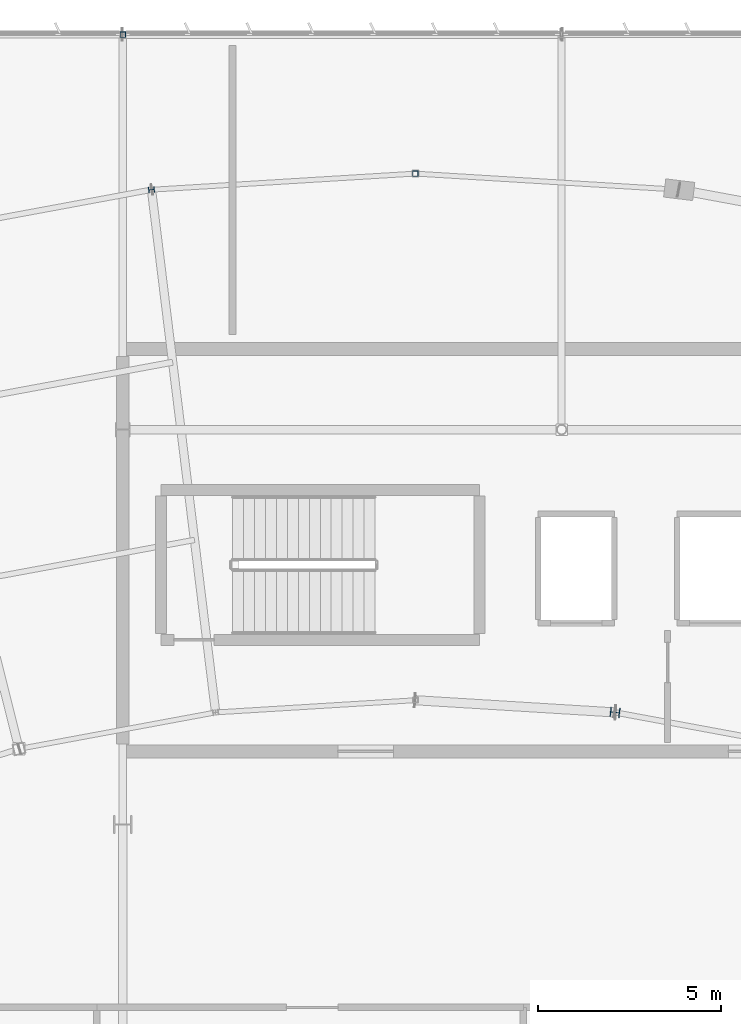
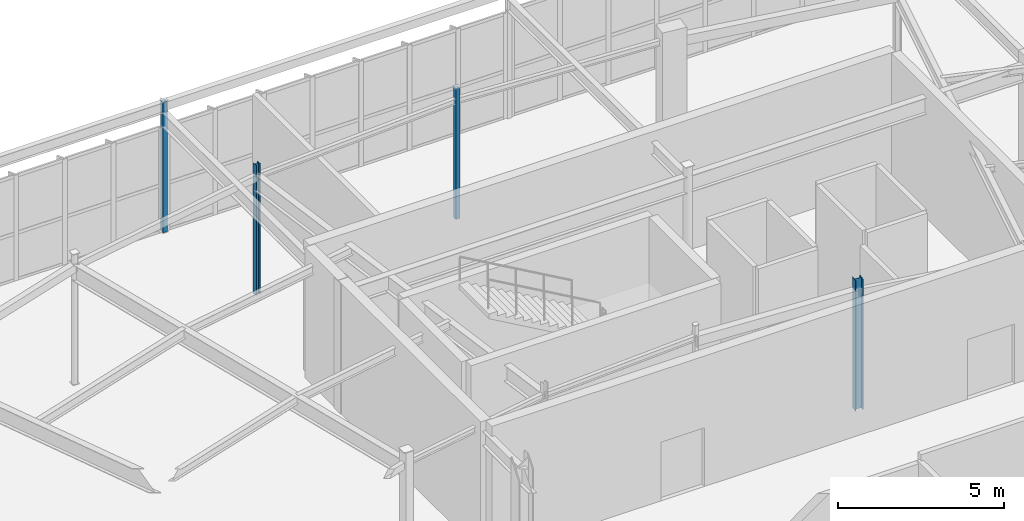
# One storey, part 28 of 186: 4 columns.
"""IFC4 building model written with IfcOpenShell, lengths in metres."""

from ifc_helpers import new_model, si_unit, direction, frame, origin, origin_2d, place, context, subcontext, project, spatial, hollow_rectangle, i_section, extrude, material, material_profile, profile_set, type_object, element, save


model = new_model("IFC4")

# Units and contexts
model_context = context("Model", 3, precision=1e-05, world=origin(), true_north=direction((0.0, 1.0)))
body_context = subcontext(model_context, "Body", "Model", "MODEL_VIEW")
ifc_project = project(units=[si_unit("LENGTHUNIT", "METRE"), si_unit("AREAUNIT", "SQUARE_METRE"), si_unit("VOLUMEUNIT", "CUBIC_METRE"), si_unit("PLANEANGLEUNIT", "RADIAN"), si_unit("MASSUNIT", "GRAM", prefix="KILO")], contexts=[model_context])

# Site, building, storey
site_placement = place(None, origin())
site = spatial("IfcSite", under=ifc_project, at=site_placement, CompositionType="ELEMENT")
building_placement = place(site_placement, origin())
building = spatial("IfcBuilding", under=site, at=building_placement, Name="Tarnwether General Hospital", CompositionType="ELEMENT")
storey_placement = place(building_placement, frame((0.0, 0.0, 9.60009765625)))
storey = spatial("IfcBuildingStorey", under=building, at=storey_placement, Name="L02", CompositionType="ELEMENT", Elevation=9.60009765625)

# Columns
ifc_material_1 = material(Name="Steel Grade 350 (350 MPa)", Category="steel")
ifc_material_profile_1 = material_profile(ifc_material_1, i_section(OverallWidth=0.25390625, OverallDepth=0.25390625, WebThickness=0.008544921875, FlangeThickness=0.01416015625, at=origin_2d()), Name="250UC72.9")
ifc_profile_set_1 = profile_set([ifc_material_profile_1], Name="Steel Grade 350 (350 MPa)")
column_type_1 = type_object("IfcColumnType", Name="COL-24", PredefinedType="COLUMN", material=ifc_profile_set_1)
column_1_placement = place(storey_placement, frame((97.4599609375, 107.466064453125, 0.0), z_axis=(0.0, 0.0, 1.0), x_axis=(0.121869343405, 0.992546151641, 0.0)))
element("IfcColumn", 1, at=column_1_placement, inside=storey, type_object=column_type_1, Name="Column COLG-L02-9746_10747", PredefinedType="COLUMN", context=body_context, shape_type="SweptSolid", body=[
    extrude(i_section(OverallWidth=0.25390625, OverallDepth=0.25390625, WebThickness=0.008544921875, FlangeThickness=0.01416015625, at=origin_2d()), origin(), (0.0, 0.0, 1.0), 4.7998046875),
])
ifc_material_2 = material(Name="Steel Grade 350 (350 MPa)", Category="steel")
ifc_material_profile_2 = material_profile(ifc_material_2, i_section(OverallWidth=0.153076171875, OverallDepth=0.157958984375, WebThickness=0.006591796875, FlangeThickness=0.009521484375, at=origin_2d()), Name="150UC30.0")
ifc_profile_set_2 = profile_set([ifc_material_profile_2], Name="Steel Grade 350 (350 MPa)")
column_type_2 = type_object("IfcColumnType", Name="COL-31", PredefinedType="COLUMN", material=ifc_profile_set_2)
column_2_placement = place(storey_placement, frame((84.784912109375, 121.759033203125, 0.0), z_axis=(0.0, 0.0, 1.0), x_axis=(-0.121869343405, 0.992546151641, 0.0)))
element("IfcColumn", 2, at=column_2_placement, inside=storey, type_object=column_type_2, Name="Column COLG-L02-8478_12176", PredefinedType="COLUMN", context=body_context, shape_type="SweptSolid", body=[
    extrude(i_section(OverallWidth=0.153076171875, OverallDepth=0.157958984375, WebThickness=0.006591796875, FlangeThickness=0.009521484375, at=origin_2d()), origin(), (0.0, 0.0, 1.0), 4.7998046875),
])
ifc_material_3 = material(Name="Steel Grade C350L0 (350 MPa)", Category="steel")
ifc_material_profile_3 = material_profile(ifc_material_3, hollow_rectangle(XDim=0.14990234375, YDim=0.14990234375, WallThickness=0.008056640625, at=origin_2d()), Name="SHS150x150x8")
ifc_profile_set_3 = profile_set([ifc_material_profile_3], Name="Steel Grade C350L0 (350 MPa)")
column_type_3 = type_object("IfcColumnType", Name="COL-33", PredefinedType="COLUMN", material=ifc_profile_set_3)
for number, where, z_axis, x_axis, name in (
    (3, (84.0, 126.0, 0.0), (0.0, 0.0, 1.0), (0.0, 1.0, 0.0), "Column COLG-L02-8400_12600"),
    (4, (92.0, 122.199951171875, 0.0), (0.0, 0.0, 1.0), (0.0, 1.0, 0.0), "Column COLG-L02-9200_12220"),
):
    element("IfcColumn", number, at=place(storey_placement, frame(where, z_axis=z_axis, x_axis=x_axis)), inside=storey, type_object=column_type_3, Name=name, PredefinedType="COLUMN", context=body_context, shape_type="SweptSolid", body=[
        extrude(hollow_rectangle(XDim=0.14990234375, YDim=0.14990234375, WallThickness=0.008056640625, at=origin_2d()), origin(), (0.0, 0.0, 1.0), 4.7998046875),
    ])

save(model, "model.ifc")
